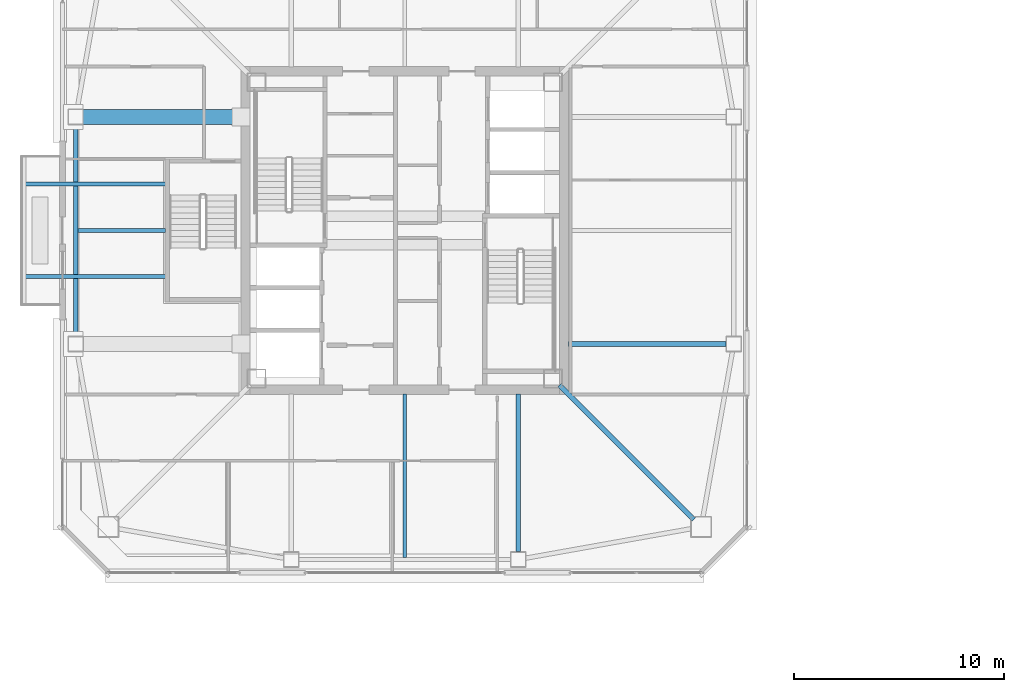
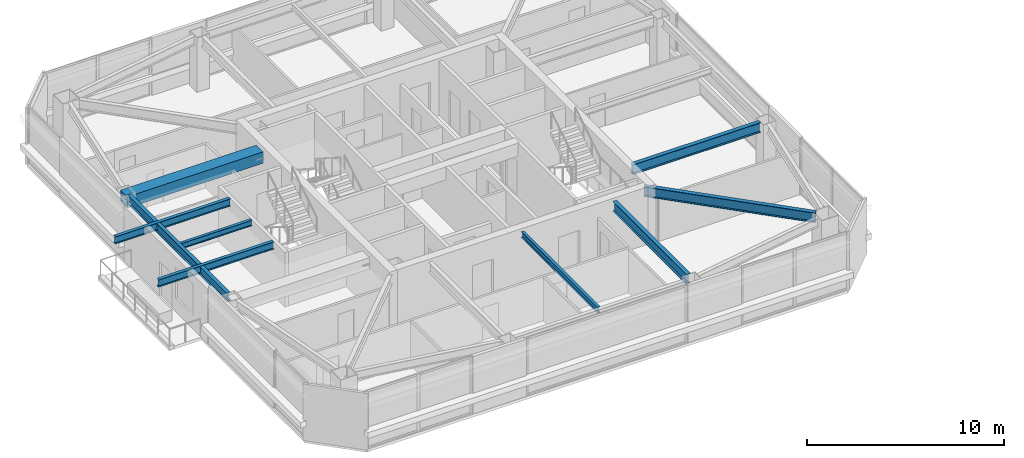
# One storey, part 6 of 39: 9 beams.
"""IFC4 building model written with IfcOpenShell, lengths in metres."""

from ifc_helpers import new_model, si_unit, direction, frame, origin, origin_2d, place, context, subcontext, project, spatial, hollow_rectangle, i_section, extrude, material, material_profile, profile_set, type_object, element, save


model = new_model("IFC4")

# Units and contexts
model_context = context("Model", 3, precision=1e-05, world=origin(), true_north=direction((0.0, 1.0)))
body_context = subcontext(model_context, "Body", "Model", "MODEL_VIEW")
ifc_project = project(units=[si_unit("LENGTHUNIT", "METRE"), si_unit("AREAUNIT", "SQUARE_METRE"), si_unit("VOLUMEUNIT", "CUBIC_METRE"), si_unit("PLANEANGLEUNIT", "RADIAN"), si_unit("MASSUNIT", "GRAM", prefix="KILO")], contexts=[model_context])

# Site, building, storey
site_placement = place(None, origin())
site = spatial("IfcSite", under=ifc_project, at=site_placement, CompositionType="ELEMENT")
building_placement = place(site_placement, origin())
building = spatial("IfcBuilding", under=site, at=building_placement, Name="Tashvorn Skyway Center", CompositionType="ELEMENT")
storey_placement = place(building_placement, frame((0.0, 0.0, 214.85009765625)))
storey = spatial("IfcBuildingStorey", under=building, at=storey_placement, Name="L58", CompositionType="ELEMENT", Elevation=214.85009765625)

# Beams
ifc_material_1 = material(Name="Steel ASTM A572 Grade 50", Category="steel")
ifc_material_profile_1 = material_profile(ifc_material_1, hollow_rectangle(XDim=0.699951171875, YDim=0.699951171875, WallThickness=0.028076171875, at=origin_2d()), Name="BOX700x700x28")
ifc_profile_set_1 = profile_set([ifc_material_profile_1], Name="Steel ASTM A572 Grade 50")
beam_type_1 = type_object("IfcBeamType", Name="BM-BEAM-BOX700x700x28", PredefinedType="BEAM", material=ifc_profile_set_1)
beam_1_placement = place(storey_placement, frame((34.219970703125, 37.39990234375, 2.869873046875), z_axis=(-1.0, 0.0, 0.0), x_axis=(0.0, -1.0, 0.0)))
element("IfcBeam", 1, at=beam_1_placement, inside=storey, type_object=beam_type_1, Name="Sky-Park Mega-Strut Anchor Outrigger 2", PredefinedType="BEAM", context=body_context, shape_type="SweptSolid", body=[
    extrude(hollow_rectangle(XDim=0.699951171875, YDim=0.699951171875, WallThickness=0.028076171875, at=origin_2d()), origin(), (0.0, 0.0, 1.0), 7.969970703125),
])
ifc_material_2 = material(Name="Steel ASTM A992 Grade 50", Category="steel")
ifc_material_profile_2 = material_profile(ifc_material_2, i_section(OverallWidth=0.22998046875, OverallDepth=0.616943359375, WebThickness=0.01318359375, FlangeThickness=0.022216796875, at=origin_2d()), Name="W24X94")
ifc_profile_set_2 = profile_set([ifc_material_profile_2], Name="Steel ASTM A992 Grade 50")
beam_type_2 = type_object("IfcBeamType", Name="BM-BEAM-W24X94", PredefinedType="BEAM", material=ifc_profile_set_2)
beam_2_placement = place(storey_placement, frame((55.75, 18.25, 3.0615234375), z_axis=(-0.707106781187, 0.707106781187, 0.0), x_axis=(-0.707106781187, -0.707106781187, 0.0)))
element("IfcBeam", 2, at=beam_2_placement, inside=storey, type_object=beam_type_2, Name="Tower 1 L58 Primary Floor Girder MC-SE", PredefinedType="BEAM", context=body_context, shape_type="SweptSolid", body=[
    extrude(i_section(OverallWidth=0.22998046875, OverallDepth=0.616943359375, WebThickness=0.01318359375, FlangeThickness=0.022216796875, at=origin_2d()), origin(), (0.0, 0.0, 1.0), 9.030029296875),
])
for number, where, z_axis, x_axis, name in (
    (3, (47.39990234375, 16.719970703125, 3.0615234375), (0.0, 1.0, 0.0), (-1.0, 0.0, 0.0), "Tower 1 L58 Primary Floor Girder FC-S2"),
    (4, (57.280029296875, 26.60009765625, 3.0615234375), (-1.0, 0.0, 0.0), (0.0, -1.0, 0.0), "Tower 1 L58 Primary Floor Girder FC-E1"),
):
    element("IfcBeam", number, at=place(storey_placement, frame(where, z_axis=z_axis, x_axis=x_axis)), inside=storey, type_object=beam_type_2, Name=name, PredefinedType="BEAM", context=body_context, shape_type="SweptSolid", body=[
        extrude(i_section(OverallWidth=0.22998046875, OverallDepth=0.616943359375, WebThickness=0.01318359375, FlangeThickness=0.022216796875, at=origin_2d()), origin(), (0.0, 0.0, 1.0), 7.5),
    ])
ifc_material_profile_3 = material_profile(ifc_material_2, i_section(OverallWidth=0.1708984375, OverallDepth=0.35498046875, WebThickness=0.007080078125, FlangeThickness=0.01171875, at=origin_2d()), Name="W14X34")
ifc_profile_set_3 = profile_set([ifc_material_profile_3], Name="Steel ASTM A992 Grade 50")
beam_type_3 = type_object("IfcBeamType", Name="BM-JOIST-W14X34", PredefinedType="JOIST", material=ifc_profile_set_3)
beam_3_placement = place(storey_placement, frame((42.0, 24.2099609375, 3.1923828125), z_axis=(0.0, -1.0, 0.0), x_axis=(1.0, 0.0, 0.0)))
element("IfcBeam", 5, at=beam_3_placement, inside=storey, type_object=beam_type_3, Name="Tower 1 L58 Secondary Composite Joist JS", PredefinedType="JOIST", context=body_context, shape_type="SweptSolid", body=[
    extrude(i_section(OverallWidth=0.1708984375, OverallDepth=0.35498046875, WebThickness=0.007080078125, FlangeThickness=0.01171875, at=origin_2d()), origin(), (0.0, 0.0, 1.0), 7.762451171875),
])
beam_4_placement = place(storey_placement, frame((30.610107421875, 32.0, 3.1923828125), z_axis=(-1.0, 0.0, 0.0), x_axis=(0.0, -1.0, 0.0)))
element("IfcBeam", 6, at=beam_4_placement, inside=storey, type_object=beam_type_3, Name="Tower 1 L58 Secondary Composite Joist JW", PredefinedType="JOIST", context=body_context, shape_type="SweptSolid", body=[
    extrude(i_section(OverallWidth=0.1708984375, OverallDepth=0.35498046875, WebThickness=0.007080078125, FlangeThickness=0.01171875, at=origin_2d()), origin(), (0.0, 0.0, 1.0), 4.16259765625),
])
ifc_material_profile_4 = material_profile(ifc_material_2, i_section(OverallWidth=0.19091796875, OverallDepth=0.4599609375, WebThickness=0.010009765625, FlangeThickness=0.01611328125, at=origin_2d()), Name="W18X55")
ifc_profile_set_4 = profile_set([ifc_material_profile_4], Name="Steel ASTM A992 Grade 50")
beam_type_4 = type_object("IfcBeamType", Name="BM-JOIST-W18X55", PredefinedType="JOIST", material=ifc_profile_set_4)
for number, where, z_axis, x_axis, name in (
    (7, (30.610107421875, 29.800048828125, 3.139892578125), (-1.0, 0.0, 0.0), (0.0, -1.0, 0.0), "Tower 1 L59 Terrace Cantilever Outlooker 1"),
    (8, (30.610107421875, 34.199951171875, 3.139892578125), (-1.0, 0.0, 0.0), (0.0, -1.0, 0.0), "Tower 1 L59 Terrace Cantilever Outlooker 2"),
):
    element("IfcBeam", number, at=place(storey_placement, frame(where, z_axis=z_axis, x_axis=x_axis)), inside=storey, type_object=beam_type_4, Name=name, PredefinedType="JOIST", context=body_context, shape_type="SweptSolid", body=[
        extrude(i_section(OverallWidth=0.19091796875, OverallDepth=0.4599609375, WebThickness=0.010009765625, FlangeThickness=0.01611328125, at=origin_2d()), origin(), (0.0, 0.0, 1.0), 6.760009765625),
    ])
ifc_material_profile_5 = material_profile(ifc_material_2, i_section(OverallWidth=0.2109375, OverallDepth=0.5390625, WebThickness=0.01171875, FlangeThickness=0.018798828125, at=origin_2d()), Name="W21X73")
ifc_profile_set_5 = profile_set([ifc_material_profile_5], Name="Steel ASTM A992 Grade 50")
beam_type_5 = type_object("IfcBeamType", Name="BM-SPANDREL-W21X73", PredefinedType="SPANDREL", material=ifc_profile_set_5)
beam_5_placement = place(storey_placement, frame((26.35009765625, 37.030029296875, 3.100341796875), z_axis=(0.0, -1.0, 0.0), x_axis=(1.0, 0.0, 0.0)))
element("IfcBeam", 9, at=beam_5_placement, inside=storey, type_object=beam_type_5, Name="Tower 1 L58 Spandrel Beam 11", PredefinedType="SPANDREL", context=body_context, shape_type="SweptSolid", body=[
    extrude(i_section(OverallWidth=0.2109375, OverallDepth=0.5390625, WebThickness=0.01171875, FlangeThickness=0.018798828125, at=origin_2d()), origin(), (0.0, 0.0, 1.0), 10.06005859375),
])

save(model, "model.ifc")
